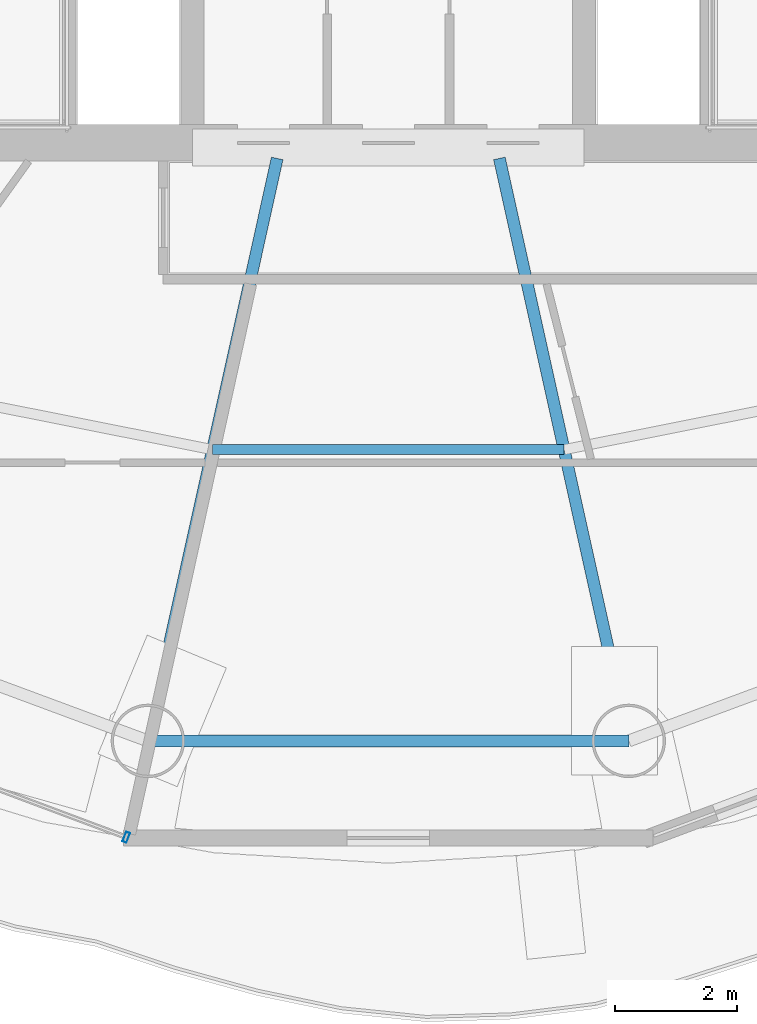
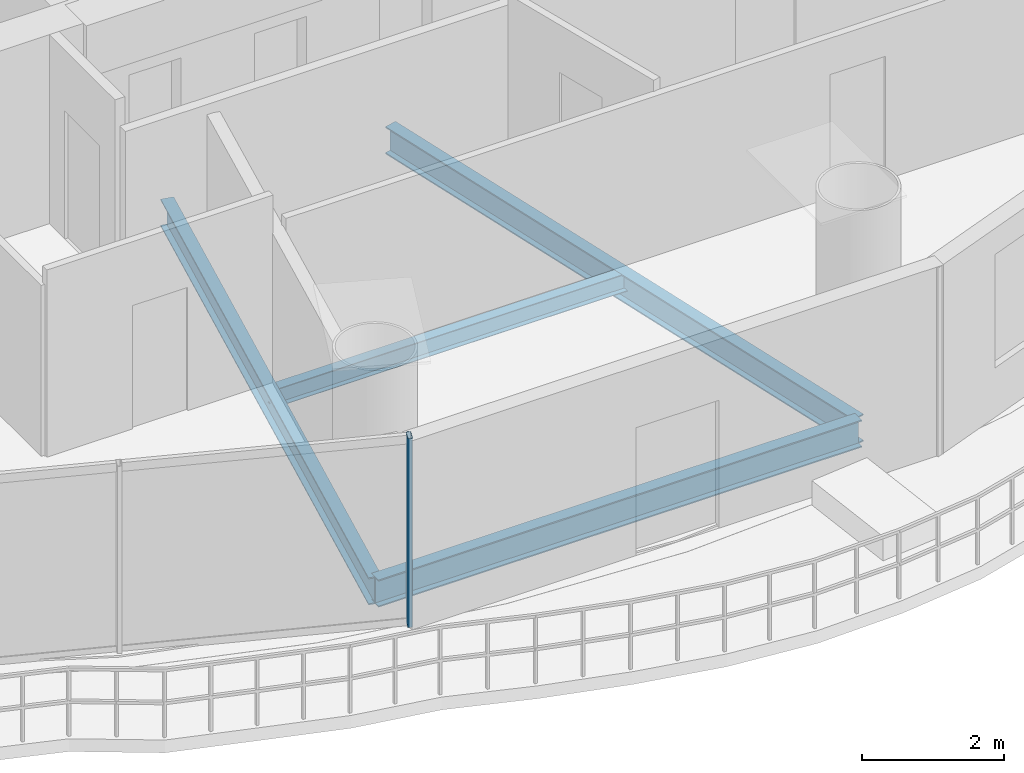
# One storey, part 5 of 26: 4 beams, 1 member, 1 element without a shape of its own.
"""IFC4 building model written with IfcOpenShell, lengths in metres."""

from ifc_helpers import new_model, si_unit, direction, frame, origin, origin_2d, place, context, subcontext, project, spatial, hollow_rectangle, i_section, extrude, source, transform, mapped, material, material_profile, profile_set, type_object, element, aggregate, save


model = new_model("IFC4")

# Units and contexts
model_context = context("Model", 3, precision=1e-05, world=origin(), true_north=direction((-0.2419218956, 0.970295726276)))
body_context = subcontext(model_context, "Body", "Model", "MODEL_VIEW")
ifc_project = project(units=[si_unit("LENGTHUNIT", "METRE"), si_unit("AREAUNIT", "SQUARE_METRE"), si_unit("VOLUMEUNIT", "CUBIC_METRE"), si_unit("PLANEANGLEUNIT", "RADIAN"), si_unit("MASSUNIT", "GRAM", prefix="KILO")], contexts=[model_context])

# Site, building, storey
site_placement = place(None, origin())
site = spatial("IfcSite", under=ifc_project, at=site_placement, CompositionType="ELEMENT")
building_placement = place(site_placement, origin())
building = spatial("IfcBuilding", under=site, at=building_placement, Name="Cobrevalo Terracotta Tower", CompositionType="ELEMENT")
storey_placement = place(building_placement, frame((0.0, 0.0, 239.300048828125)))
storey = spatial("IfcBuildingStorey", under=building, at=storey_placement, Name="L63", CompositionType="ELEMENT", Elevation=239.300048828125)

# Beams
ifc_material_1 = material(Name="Steel S355", Category="steel")
ifc_material_profile_1 = material_profile(ifc_material_1, i_section(OverallWidth=0.194091796875, OverallDepth=0.468994140625, WebThickness=0.011474609375, FlangeThickness=0.0205078125, at=origin_2d()), Name="W 460x106")
ifc_profile_set_1 = profile_set([ifc_material_profile_1], Name="Steel S355")
beam_type_1 = type_object("IfcBeamType", Name="Structural Beam W 460x106 (Steel S355)", PredefinedType="BEAM", material=ifc_profile_set_1)
for number, where, z_axis, x_axis, name in (
    (1, (34.06884765625, 9.096923828125, -0.49951171875), (0.216782061165, 0.976220025382, 0.0), (-0.976220025382, 0.216782061165, 0.0), "L63 radial floor girder 12"),
    (2, (41.93115234375, 9.096923828125, -0.49951171875), (-0.216782061165, 0.976220025382, 0.0), (-0.976220025382, -0.216782061165, 0.0), "L63 radial floor girder 13"),
):
    element("IfcBeam", number, at=place(storey_placement, frame(where, z_axis=z_axis, x_axis=x_axis)), inside=storey, type_object=beam_type_1, Name=name, PredefinedType="BEAM", context=body_context, shape_type="SweptSolid", body=[
        extrude(i_section(OverallWidth=0.194091796875, OverallDepth=0.468994140625, WebThickness=0.011474609375, FlangeThickness=0.0205078125, at=origin_2d()), origin(), (0.0, 0.0, 1.0), 9.755126953125),
    ])
ifc_material_profile_2 = material_profile(ifc_material_1, i_section(OverallWidth=0.1650390625, OverallDepth=0.31005859375, WebThickness=0.005859375, FlangeThickness=0.009765625, at=origin_2d()), Name="W 310x38.7")
ifc_profile_set_2 = profile_set([ifc_material_profile_2], Name="Steel S355")
beam_type_2 = type_object("IfcBeamType", Name="Structural Joist W 310x38.7 (Steel S355)", PredefinedType="JOIST", material=ifc_profile_set_2)
beam_1_placement = place(storey_placement, frame((35.126220703125, 13.8583984375, -0.420166015625), z_axis=(1.0, 0.0, 0.0), x_axis=(0.0, 1.0, 0.0)))
element("IfcBeam", 3, at=beam_1_placement, inside=storey, type_object=beam_type_2, Name="L63 circumferential secondary floor joist 12", PredefinedType="JOIST", context=body_context, shape_type="SweptSolid", body=[
    extrude(i_section(OverallWidth=0.1650390625, OverallDepth=0.31005859375, WebThickness=0.005859375, FlangeThickness=0.009765625, at=origin_2d()), origin(), (0.0, 0.0, 1.0), 5.74755859375),
])
ifc_material_profile_3 = material_profile(ifc_material_1, i_section(OverallWidth=0.194091796875, OverallDepth=0.468994140625, WebThickness=0.011474609375, FlangeThickness=0.0205078125, at=origin_2d()), Name="W 460x106")
ifc_profile_set_3 = profile_set([ifc_material_profile_3], Name="Steel S355")
beam_type_3 = type_object("IfcBeamType", Name="Structural Spandrel W 460x106 (Steel S355)", PredefinedType="SPANDREL", material=ifc_profile_set_3)
beam_2_placement = place(storey_placement, frame((34.06884765625, 9.096923828125, -0.49951171875), z_axis=(1.0, 0.0, 0.0), x_axis=(0.0, 1.0, 0.0)))
element("IfcBeam", 4, at=beam_2_placement, inside=storey, type_object=beam_type_3, Name="L63 perimeter ring spandrel 12", PredefinedType="SPANDREL", context=body_context, shape_type="SweptSolid", body=[
    extrude(i_section(OverallWidth=0.194091796875, OverallDepth=0.468994140625, WebThickness=0.011474609375, FlangeThickness=0.0205078125, at=origin_2d()), origin(), (0.0, 0.0, 1.0), 7.8623046875),
])

# Curtain wall, member
ifc_material_2 = material(Name="Anodized aluminium", Category="aluminium")
curtain_wall_type = type_object("IfcCurtainWallType", Name="Mid-tower high-wind unitised curtain wall CW-U2", PredefinedType="NOTDEFINED", material=ifc_material_2)
curtain_wall_placement = place(storey_placement, origin())
curtain_wall = element("IfcCurtainWall", 5, at=curtain_wall_placement, inside=storey, type_object=curtain_wall_type, Name="L63 curtain wall CW-L63-S11", PredefinedType="NOTDEFINED")
ifc_material_profile_4 = material_profile(ifc_material_2, hollow_rectangle(XDim=0.070068359375, YDim=0.169921875, WallThickness=0.00439453125, at=origin_2d()), Name="CWM 70x170")
ifc_profile_set_4 = profile_set([ifc_material_profile_4], Name="Anodized aluminium")
member_type = type_object("IfcMemberType", Name="Upper tower unitised mullion 70x170", PredefinedType="MULLION", material=ifc_profile_set_4)
shared_shape = source(origin(), body_context, "Body", "SweptSolid", [
    extrude(hollow_rectangle(XDim=0.070068359375, YDim=0.169921875, WallThickness=0.00439453125, at=origin_2d()), origin(), (0.0, 0.0, 1.0), 3.25),
])
member_placement = place(storey_placement, frame((33.71533203125, 7.52197265625, 0.0), z_axis=(0.0, 0.0, 1.0), x_axis=(0.936556004584, -0.350517974259, 0.0)))
member = element("IfcMember", 6, at=member_placement, type_object=member_type, Name="CW-L63-S11 vertical mullion 03", PredefinedType="MULLION", context=body_context, shape_type="MappedRepresentation", body=[
    mapped(shared_shape, transform((0.0, 0.0, 0.0), scale=1.0)),
])
aggregate(curtain_wall, [member])

save(model, "model.ifc")
